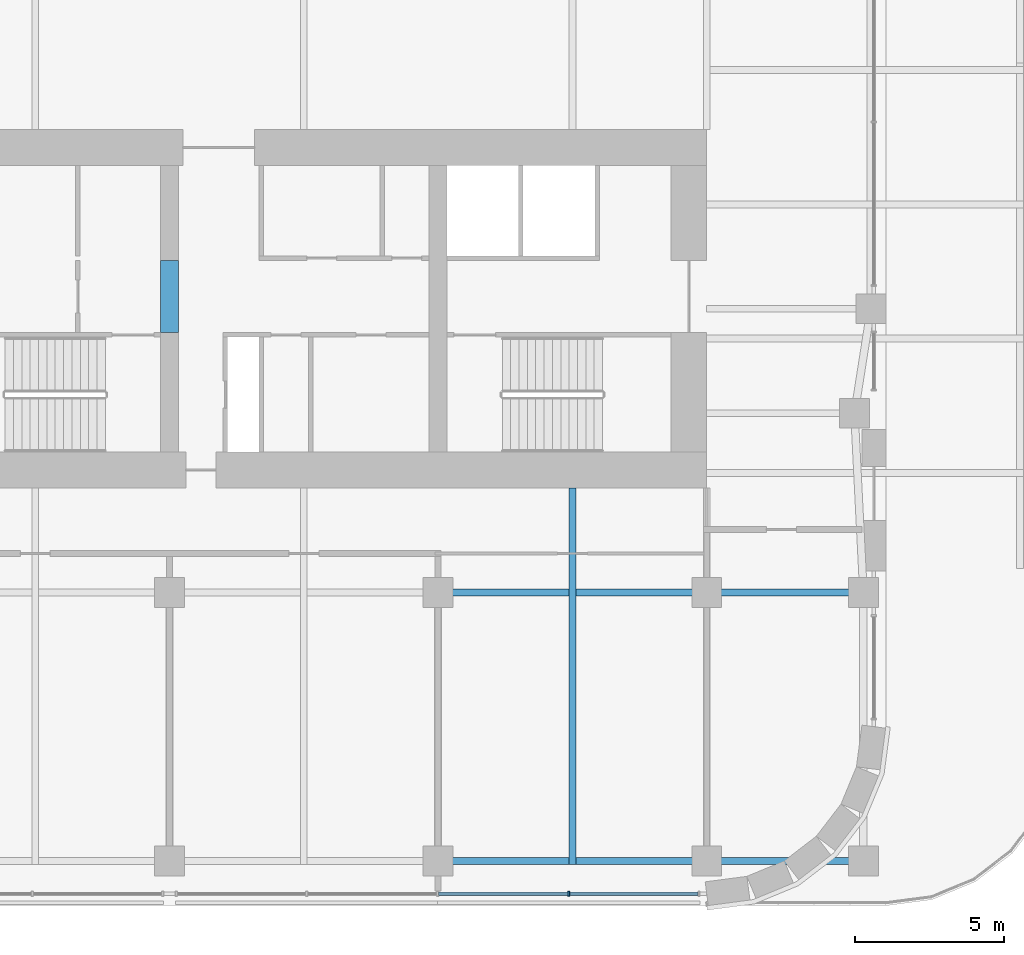
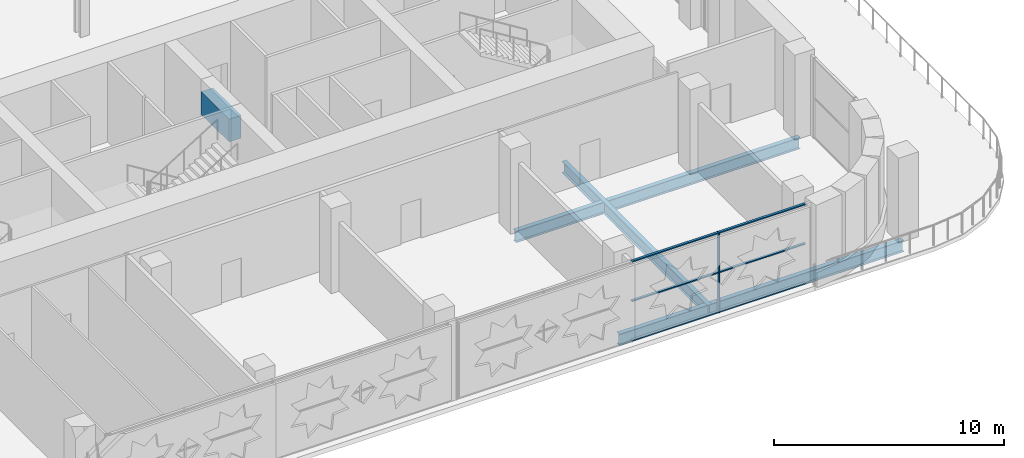
# One storey, part 6 of 26: 7 members, 4 beams, 1 element without a shape of its own.
"""IFC4 building model written with IfcOpenShell, lengths in metres."""

from ifc_helpers import new_model, si_unit, direction, frame, origin, origin_2d, place, context, subcontext, project, spatial, rectangle, i_section, extrude, material, material_profile, profile_set, type_object, element, aggregate, save


model = new_model("IFC4")

# Units and contexts
model_context = context("Model", 3, precision=1e-05, world=origin(), true_north=direction((0.0, 1.0)))
body_context = subcontext(model_context, "Body", "Model", "MODEL_VIEW")
ifc_project = project(units=[si_unit("LENGTHUNIT", "METRE"), si_unit("AREAUNIT", "SQUARE_METRE"), si_unit("VOLUMEUNIT", "CUBIC_METRE"), si_unit("PLANEANGLEUNIT", "RADIAN"), si_unit("MASSUNIT", "GRAM", prefix="KILO")], contexts=[model_context])

# Site, building, storey
site_placement = place(None, origin())
site = spatial("IfcSite", under=ifc_project, at=site_placement, CompositionType="ELEMENT")
building_placement = place(site_placement, origin())
building = spatial("IfcBuilding", under=site, at=building_placement, Name="Zellij Exchange Tower", CompositionType="ELEMENT")
storey_placement = place(building_placement, frame((0.0, 0.0, 39.0)))
storey = spatial("IfcBuildingStorey", under=building, at=storey_placement, Name="L06", CompositionType="ELEMENT", Elevation=39.0)

# Beam
ifc_material_1 = material(Name="Concrete C70/85", Category="concrete")
ifc_material_profile_1 = material_profile(ifc_material_1, rectangle(XDim=0.60009765625, YDim=1.199951171875, at=origin_2d()), Name="CORE-CB 600x1200 C70/85")
ifc_profile_set_1 = profile_set([ifc_material_profile_1], Name="Concrete C70/85")
beam_type_1 = type_object("IfcBeamType", Name="CORE-CB 600x1200 C70/85", PredefinedType="BEAM", material=ifc_profile_set_1)
beam_1_placement = place(storey_placement, frame((9.0, -8.800048828125, 3.0), z_axis=(0.0, 1.0, 0.0), x_axis=(-1.0, 0.0, 0.0)))
element("IfcBeam", 1, at=beam_1_placement, inside=storey, type_object=beam_type_1, Name="Core coupling beam x 9 L06", PredefinedType="BEAM", context=body_context, shape_type="SweptSolid", body=[
    extrude(rectangle(XDim=0.60009765625, YDim=1.199951171875, at=origin_2d()), origin(), (0.0, 0.0, 1.0), 2.425048828125),
])

# Curtain wall, members
ifc_material_2 = material(Name="Aluminium frame, clear insulating glass", Category="aluminium")
curtain_wall_type = type_object("IfcCurtainWallType", Name="ENV-CW1 Sky-garden glazing", PredefinedType="NOTDEFINED", material=ifc_material_2)
curtain_wall_placement = place(storey_placement, origin())
curtain_wall = element("IfcCurtainWall", 2, at=curtain_wall_placement, inside=storey, type_object=curtain_wall_type, Name="cw.L06.00c", PredefinedType="NOTDEFINED")
ifc_material_3 = material(Name="Aluminium", Category="aluminium")
ifc_material_profile_2 = material_profile(ifc_material_3, rectangle(XDim=0.06005859375, YDim=0.159912109375, at=origin_2d()), Name="AL 60x160")
ifc_profile_set_2 = profile_set([ifc_material_profile_2], Name="Aluminium")
member_type_1 = type_object("IfcMemberType", Name="ENV-CW1M Mullion 60x160", PredefinedType="MULLION", material=ifc_profile_set_2)
member_1_placement = place(storey_placement, frame((22.38037109375, -27.60009765625, 0.0), z_axis=(0.0, 0.0, 1.0), x_axis=(1.0, 0.0, 0.0)))
member_1 = element("IfcMember", 3, at=member_1_placement, type_object=member_type_1, Name="CW1 mullion 4", PredefinedType="MULLION", context=body_context, shape_type="SweptSolid", body=[
    extrude(rectangle(XDim=0.06005859375, YDim=0.159912109375, at=origin_2d()), origin(), (0.0, 0.0, 1.0), 4.25),
])
ifc_material_profile_3 = material_profile(ifc_material_3, rectangle(XDim=0.1201171875, YDim=0.06005859375, at=origin_2d()), Name="AL 120x60")
ifc_profile_set_3 = profile_set([ifc_material_profile_3], Name="Aluminium")
member_type_2 = type_object("IfcMemberType", Name="ENV-CW1T Transom 120x60", PredefinedType="USERDEFINED", material=ifc_profile_set_3)
member_2_placement = place(storey_placement, frame((18.016845703125, -27.60009765625, 0.030029296875), z_axis=(1.0, 0.0, 0.0), x_axis=(0.0, 1.0, 0.0)))
member_2 = element("IfcMember", 4, at=member_2_placement, type_object=member_type_2, Name="CW1 transom 3.1", ObjectType="TRANSOM", PredefinedType="USERDEFINED", context=body_context, shape_type="SweptSolid", body=[
    extrude(rectangle(XDim=0.1201171875, YDim=0.06005859375, at=origin_2d()), origin(), (0.0, 0.0, 1.0), 4.33349609375),
])
member_3_placement = place(storey_placement, frame((18.016845703125, -27.60009765625, 2.125), z_axis=(1.0, 0.0, 0.0), x_axis=(0.0, 1.0, 0.0)))
member_3 = element("IfcMember", 5, at=member_3_placement, type_object=member_type_2, Name="CW1 transom 3.2", ObjectType="TRANSOM", PredefinedType="USERDEFINED", context=body_context, shape_type="SweptSolid", body=[
    extrude(rectangle(XDim=0.1201171875, YDim=0.06005859375, at=origin_2d()), origin(), (0.0, 0.0, 1.0), 4.33349609375),
])
member_4_placement = place(storey_placement, frame((18.016845703125, -27.60009765625, 4.219970703125), z_axis=(1.0, 0.0, 0.0), x_axis=(0.0, 1.0, 0.0)))
member_4 = element("IfcMember", 6, at=member_4_placement, type_object=member_type_2, Name="CW1 transom 3.3", ObjectType="TRANSOM", PredefinedType="USERDEFINED", context=body_context, shape_type="SweptSolid", body=[
    extrude(rectangle(XDim=0.1201171875, YDim=0.06005859375, at=origin_2d()), origin(), (0.0, 0.0, 1.0), 4.33349609375),
])
member_5_placement = place(storey_placement, frame((22.410400390625, -27.60009765625, 0.030029296875), z_axis=(1.0, 0.0, 0.0), x_axis=(0.0, 1.0, 0.0)))
member_5 = element("IfcMember", 7, at=member_5_placement, type_object=member_type_2, Name="CW1 transom 4.1", ObjectType="TRANSOM", PredefinedType="USERDEFINED", context=body_context, shape_type="SweptSolid", body=[
    extrude(rectangle(XDim=0.1201171875, YDim=0.06005859375, at=origin_2d()), origin(), (0.0, 0.0, 1.0), 4.303466796875),
])
member_6_placement = place(storey_placement, frame((22.410400390625, -27.60009765625, 2.125), z_axis=(1.0, 0.0, 0.0), x_axis=(0.0, 1.0, 0.0)))
member_6 = element("IfcMember", 8, at=member_6_placement, type_object=member_type_2, Name="CW1 transom 4.2", ObjectType="TRANSOM", PredefinedType="USERDEFINED", context=body_context, shape_type="SweptSolid", body=[
    extrude(rectangle(XDim=0.1201171875, YDim=0.06005859375, at=origin_2d()), origin(), (0.0, 0.0, 1.0), 4.303466796875),
])
member_7_placement = place(storey_placement, frame((22.410400390625, -27.60009765625, 4.219970703125), z_axis=(1.0, 0.0, 0.0), x_axis=(0.0, 1.0, 0.0)))
member_7 = element("IfcMember", 9, at=member_7_placement, type_object=member_type_2, Name="CW1 transom 4.3", ObjectType="TRANSOM", PredefinedType="USERDEFINED", context=body_context, shape_type="SweptSolid", body=[
    extrude(rectangle(XDim=0.1201171875, YDim=0.06005859375, at=origin_2d()), origin(), (0.0, 0.0, 1.0), 4.303466796875),
])
aggregate(curtain_wall, [member_1, member_2, member_3, member_4, member_5, member_6, member_7])

# Beams
ifc_material_4 = material(Name="Structural steel ASTM A992 Gr 50", Category="steel")
ifc_material_profile_4 = material_profile(ifc_material_4, i_section(OverallWidth=0.22900390625, OverallDepth=0.612060546875, WebThickness=0.011962890625, FlangeThickness=0.01953125, at=origin_2d()), Name="W24x84")
ifc_profile_set_4 = profile_set([ifc_material_profile_4], Name="Structural steel ASTM A992 Gr 50")
beam_type_2 = type_object("IfcBeamType", Name="STR-BEAM W24x84", PredefinedType="BEAM", material=ifc_profile_set_4)
beam_2_placement = place(storey_placement, frame((22.5, -26.614501953125, -0.55615234375), z_axis=(0.0, 1.0, 0.0), x_axis=(-1.0, 0.0, 0.0)))
element("IfcBeam", 10, at=beam_2_placement, inside=storey, type_object=beam_type_2, Name="B6", PredefinedType="BEAM", context=body_context, shape_type="SweptSolid", body=[
    extrude(i_section(OverallWidth=0.22900390625, OverallDepth=0.612060546875, WebThickness=0.011962890625, FlangeThickness=0.01953125, at=origin_2d()), origin(), (0.0, 0.0, 1.0), 12.614501953125),
])
ifc_material_profile_5 = material_profile(ifc_material_4, i_section(OverallWidth=0.22900390625, OverallDepth=0.612060546875, WebThickness=0.011962890625, FlangeThickness=0.01953125, at=origin_2d()), Name="W24x84")
ifc_profile_set_5 = profile_set([ifc_material_profile_5], Name="Structural steel ASTM A992 Gr 50")
beam_type_3 = type_object("IfcBeamType", Name="STR-GIRDER W24x84", PredefinedType="BEAM", material=ifc_profile_set_5)
for number, where, z_axis, x_axis, name in (
    (11, (18.0, -26.5, -0.55615234375), (1.0, 0.0, 0.0), (0.0, 1.0, 0.0), "G4"),
    (12, (18.0, -17.5, -0.55615234375), (1.0, 0.0, 0.0), (0.0, 1.0, 0.0), "G4"),
):
    element("IfcBeam", number, at=place(storey_placement, frame(where, z_axis=z_axis, x_axis=x_axis)), inside=storey, type_object=beam_type_3, Name=name, PredefinedType="BEAM", context=body_context, shape_type="SweptSolid", body=[
        extrude(i_section(OverallWidth=0.22900390625, OverallDepth=0.612060546875, WebThickness=0.011962890625, FlangeThickness=0.01953125, at=origin_2d()), origin(), (0.0, 0.0, 1.0), 14.25),
    ])

save(model, "model.ifc")
